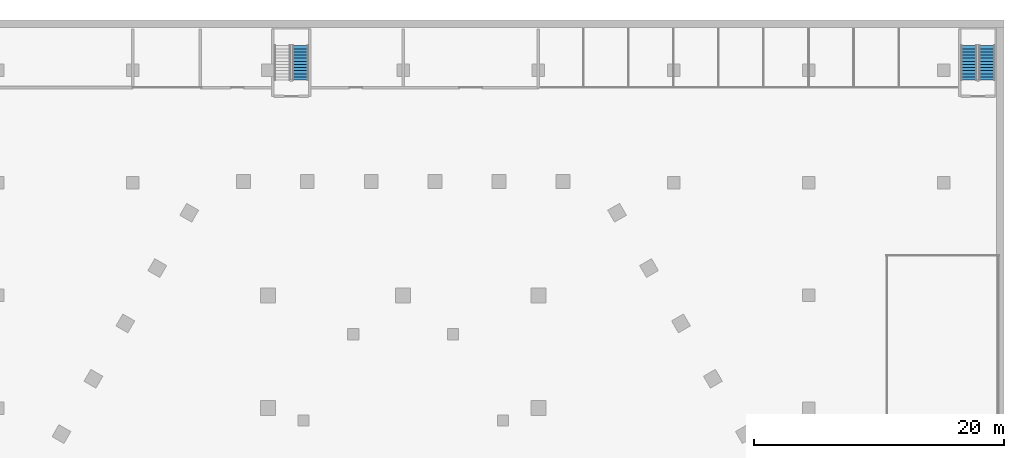
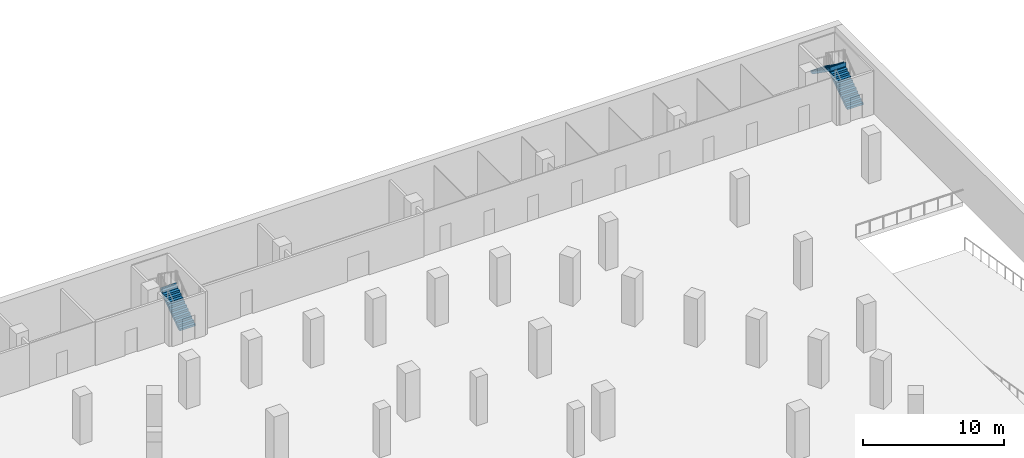
# One storey, part 14 of 20: 3 stair flights, 2 elements without a shape of their own.
"""IFC4 building model written with IfcOpenShell, lengths in metres."""

from ifc_helpers import new_model, si_unit, direction, frame, origin, place, context, subcontext, project, spatial, triangles, material, type_object, element, aggregate, save


model = new_model("IFC4")

# Units and contexts
model_context = context("Model", 3, precision=1e-05, world=origin(), true_north=direction((0.0, 1.0)))
body_context = subcontext(model_context, "Body", "Model", "MODEL_VIEW")
ifc_project = project(units=[si_unit("LENGTHUNIT", "METRE"), si_unit("AREAUNIT", "SQUARE_METRE"), si_unit("VOLUMEUNIT", "CUBIC_METRE"), si_unit("PLANEANGLEUNIT", "RADIAN"), si_unit("MASSUNIT", "GRAM", prefix="KILO")], contexts=[model_context])

# Site, building, storey
site_placement = place(None, origin())
site = spatial("IfcSite", under=ifc_project, at=site_placement, CompositionType="ELEMENT")
building_placement = place(site_placement, origin())
building = spatial("IfcBuilding", under=site, at=building_placement, Name="Beryl Residences", CompositionType="ELEMENT")
storey_placement = place(building_placement, frame((0.0, 0.0, -4.199951171875)))
storey = spatial("IfcBuildingStorey", under=building, at=storey_placement, Name="B1", CompositionType="ELEMENT", Elevation=-4.199951171875)

# Stair, stair flight
ifc_material_1 = material(Name="Concrete C40/50", Category="concrete")
stair_type = type_object("IfcStairType", Name="ST1 protected exit stair, half-turn, 1300 mm flights", PredefinedType="HALF_TURN_STAIR", material=ifc_material_1)
stair_1_placement = place(storey_placement, origin())
stair_1 = element("IfcStair", 1, at=stair_1_placement, inside=storey, type_object=stair_type, Name="B1 Basement exit stair 2", PredefinedType="HALF_TURN_STAIR")
ifc_material_2 = material(Name="Concrete C40/50", Category="concrete")
stair_flight_type = type_object("IfcStairFlightType", Name="SF1 stair flight 1300 mm", PredefinedType="STRAIGHT", material=ifc_material_2)
stair_flight_1_placement = place(storey_placement, frame((-8.199951171875, 35.199951171875, 0.0), z_axis=(0.0, 0.0, 1.0), x_axis=(0.0, 1.0, 0.0)))
stair_flight_1 = element("IfcStairFlight", 2, at=stair_flight_1_placement, type_object=stair_flight_type, Name="BS-2 flight 1", NumberOfRisers=12, NumberOfTreads=11, PredefinedType="STRAIGHT", RiserHeight=0.175, TreadLength=0.25, context=body_context, shape_type="Tessellation", body=[
    triangles([(0.0, -0.64990234375, 0.0), (0.0, -0.324951171875, 0.0), (0.0, 0.0, 0.0), (0.0, 0.324951171875, 0.0), (0.0, 0.64990234375, 0.0), (0.0, -0.64990234375, 0.175048828125), (0.0, -0.324951171875, 0.175048828125), (0.0, 0.0, 0.175048828125), (0.0, 0.324951171875, 0.175048828125), (0.0, 0.64990234375, 0.175048828125), (0.25, -0.64990234375, 0.175048828125), (0.25, -0.324951171875, 0.175048828125), (0.25, 0.0, 0.175048828125), (0.25, 0.324951171875, 0.175048828125), (0.25, 0.64990234375, 0.175048828125), (0.25, -0.64990234375, 0.35009765625), (0.25, -0.324951171875, 0.35009765625), (0.25, 0.0, 0.35009765625), (0.25, 0.324951171875, 0.35009765625), (0.25, 0.64990234375, 0.35009765625), (0.5, -0.64990234375, 0.35009765625), (0.5, -0.324951171875, 0.35009765625), (0.5, 0.0, 0.35009765625), (0.5, 0.324951171875, 0.35009765625), (0.5, 0.64990234375, 0.35009765625), (0.5, -0.64990234375, 0.52490234375), (0.5, -0.324951171875, 0.52490234375), (0.5, 0.0, 0.52490234375), (0.5, 0.324951171875, 0.52490234375), (0.5, 0.64990234375, 0.52490234375), (0.75, -0.64990234375, 0.52490234375), (0.75, -0.324951171875, 0.52490234375), (0.75, 0.0, 0.52490234375), (0.75, 0.324951171875, 0.52490234375), (0.75, 0.64990234375, 0.52490234375), (0.75, -0.64990234375, 0.699951171875), (0.75, -0.324951171875, 0.699951171875), (0.75, 0.0, 0.699951171875), (0.75, 0.324951171875, 0.699951171875), (0.75, 0.64990234375, 0.699951171875), (1.0, -0.64990234375, 0.699951171875), (1.0, -0.324951171875, 0.699951171875), (1.0, 0.0, 0.699951171875), (1.0, 0.324951171875, 0.699951171875), (1.0, 0.64990234375, 0.699951171875), (1.0, -0.64990234375, 0.875), (1.0, -0.324951171875, 0.875), (1.0, 0.0, 0.875), (1.0, 0.324951171875, 0.875), (1.0, 0.64990234375, 0.875), (1.25, -0.64990234375, 0.875), (1.25, -0.324951171875, 0.875), (1.25, 0.0, 0.875), (1.25, 0.324951171875, 0.875), (1.25, 0.64990234375, 0.875), (1.25, -0.64990234375, 1.050048828125), (1.25, -0.324951171875, 1.050048828125), (1.25, 0.0, 1.050048828125), (1.25, 0.324951171875, 1.050048828125), (1.25, 0.64990234375, 1.050048828125), (1.5, -0.64990234375, 1.050048828125), (1.5, -0.324951171875, 1.050048828125), (1.5, 0.0, 1.050048828125), (1.5, 0.324951171875, 1.050048828125), (1.5, 0.64990234375, 1.050048828125), (1.5, -0.64990234375, 1.22509765625), (1.5, -0.324951171875, 1.22509765625), (1.5, 0.0, 1.22509765625), (1.5, 0.324951171875, 1.22509765625), (1.5, 0.64990234375, 1.22509765625), (1.75, -0.64990234375, 1.22509765625), (1.75, -0.324951171875, 1.22509765625), (1.75, 0.0, 1.22509765625), (1.75, 0.324951171875, 1.22509765625), (1.75, 0.64990234375, 1.22509765625), (1.75, -0.64990234375, 1.39990234375), (1.75, -0.324951171875, 1.39990234375), (1.75, 0.0, 1.39990234375), (1.75, 0.324951171875, 1.39990234375), (1.75, 0.64990234375, 1.39990234375), (2.0, -0.64990234375, 1.39990234375), (2.0, -0.324951171875, 1.39990234375), (2.0, 0.0, 1.39990234375), (2.0, 0.324951171875, 1.39990234375), (2.0, 0.64990234375, 1.39990234375), (2.0, -0.64990234375, 1.574951171875), (2.0, -0.324951171875, 1.574951171875), (2.0, 0.0, 1.574951171875), (2.0, 0.324951171875, 1.574951171875), (2.0, 0.64990234375, 1.574951171875), (2.25, -0.64990234375, 1.574951171875), (2.25, -0.324951171875, 1.574951171875), (2.25, 0.0, 1.574951171875), (2.25, 0.324951171875, 1.574951171875), (2.25, 0.64990234375, 1.574951171875), (2.25, -0.64990234375, 1.75), (2.25, -0.324951171875, 1.75), (2.25, 0.0, 1.75), (2.25, 0.324951171875, 1.75), (2.25, 0.64990234375, 1.75), (2.5, -0.64990234375, 1.75), (2.5, -0.324951171875, 1.75), (2.5, 0.0, 1.75), (2.5, 0.324951171875, 1.75), (2.5, 0.64990234375, 1.75), (2.5, -0.64990234375, 1.925048828125), (2.5, -0.324951171875, 1.925048828125), (2.5, 0.0, 1.925048828125), (2.5, 0.324951171875, 1.925048828125), (2.5, 0.64990234375, 1.925048828125), (2.75, -0.64990234375, 1.925048828125), (2.75, -0.324951171875, 1.925048828125), (2.75, 0.0, 1.925048828125), (2.75, 0.324951171875, 1.925048828125), (2.75, 0.64990234375, 1.925048828125), (2.75, -0.64990234375, 2.10009765625), (2.75, -0.324951171875, 2.10009765625), (2.75, 0.0, 2.10009765625), (2.75, 0.324951171875, 2.10009765625), (2.75, 0.64990234375, 2.10009765625), (2.7509765625, -0.64990234375, 2.10009765625), (2.7509765625, -0.324951171875, 2.10009765625), (2.7509765625, 0.0, 2.10009765625), (2.7509765625, 0.324951171875, 2.10009765625), (2.7509765625, 0.64990234375, 2.10009765625), (2.7509765625, -0.64990234375, 1.741943359375), (2.7509765625, -0.324951171875, 1.741943359375), (2.7509765625, 0.0, 1.741943359375), (2.7509765625, 0.324951171875, 1.741943359375), (2.7509765625, 0.64990234375, 1.741943359375), (0.262451171875, -0.64990234375, 0.0), (0.262451171875, -0.324951171875, 0.0), (0.262451171875, 0.0, 0.0), (0.262451171875, 0.324951171875, 0.0), (0.262451171875, 0.64990234375, 0.0)], [[1, 6, 7], [1, 7, 2], [2, 7, 8], [2, 8, 3], [3, 8, 9], [3, 9, 4], [4, 9, 10], [4, 10, 5], [6, 11, 12], [6, 12, 7], [7, 12, 13], [7, 13, 8], [8, 13, 14], [8, 14, 9], [9, 14, 15], [9, 15, 10], [11, 16, 17], [11, 17, 12], [12, 17, 18], [12, 18, 13], [13, 18, 19], [13, 19, 14], [14, 19, 20], [14, 20, 15], [16, 21, 22], [16, 22, 17], [17, 22, 23], [17, 23, 18], [18, 23, 24], [18, 24, 19], [19, 24, 25], [19, 25, 20], [21, 26, 27], [21, 27, 22], [22, 27, 28], [22, 28, 23], [23, 28, 29], [23, 29, 24], [24, 29, 30], [24, 30, 25], [26, 31, 32], [26, 32, 27], [27, 32, 33], [27, 33, 28], [28, 33, 34], [28, 34, 29], [29, 34, 35], [29, 35, 30], [31, 36, 37], [31, 37, 32], [32, 37, 38], [32, 38, 33], [33, 38, 39], [33, 39, 34], [34, 39, 40], [34, 40, 35], [36, 41, 42], [36, 42, 37], [37, 42, 43], [37, 43, 38], [38, 43, 44], [38, 44, 39], [39, 44, 45], [39, 45, 40], [41, 46, 47], [41, 47, 42], [42, 47, 48], [42, 48, 43], [43, 48, 49], [43, 49, 44], [44, 49, 50], [44, 50, 45], [46, 51, 52], [46, 52, 47], [47, 52, 53], [47, 53, 48], [48, 53, 54], [48, 54, 49], [49, 54, 55], [49, 55, 50], [51, 56, 57], [51, 57, 52], [52, 57, 58], [52, 58, 53], [53, 58, 59], [53, 59, 54], [54, 59, 60], [54, 60, 55], [56, 61, 62], [56, 62, 57], [57, 62, 63], [57, 63, 58], [58, 63, 64], [58, 64, 59], [59, 64, 65], [59, 65, 60], [61, 66, 67], [61, 67, 62], [62, 67, 68], [62, 68, 63], [63, 68, 69], [63, 69, 64], [64, 69, 70], [64, 70, 65], [66, 71, 72], [66, 72, 67], [67, 72, 73], [67, 73, 68], [68, 73, 74], [68, 74, 69], [69, 74, 75], [69, 75, 70], [71, 76, 77], [71, 77, 72], [72, 77, 78], [72, 78, 73], [73, 78, 79], [73, 79, 74], [74, 79, 80], [74, 80, 75], [76, 81, 82], [76, 82, 77], [77, 82, 83], [77, 83, 78], [78, 83, 84], [78, 84, 79], [79, 84, 85], [79, 85, 80], [81, 86, 87], [81, 87, 82], [82, 87, 88], [82, 88, 83], [83, 88, 89], [83, 89, 84], [84, 89, 90], [84, 90, 85], [86, 91, 92], [86, 92, 87], [87, 92, 93], [87, 93, 88], [88, 93, 94], [88, 94, 89], [89, 94, 95], [89, 95, 90], [91, 96, 97], [91, 97, 92], [92, 97, 98], [92, 98, 93], [93, 98, 99], [93, 99, 94], [94, 99, 100], [94, 100, 95], [96, 101, 102], [96, 102, 97], [97, 102, 103], [97, 103, 98], [98, 103, 104], [98, 104, 99], [99, 104, 105], [99, 105, 100], [101, 106, 107], [101, 107, 102], [102, 107, 108], [102, 108, 103], [103, 108, 109], [103, 109, 104], [104, 109, 110], [104, 110, 105], [106, 111, 112], [106, 112, 107], [107, 112, 113], [107, 113, 108], [108, 113, 114], [108, 114, 109], [109, 114, 115], [109, 115, 110], [111, 116, 117], [111, 117, 112], [112, 117, 118], [112, 118, 113], [113, 118, 119], [113, 119, 114], [114, 119, 120], [114, 120, 115], [116, 121, 122], [116, 122, 117], [117, 122, 123], [117, 123, 118], [118, 123, 124], [118, 124, 119], [119, 124, 125], [119, 125, 120], [121, 126, 127], [121, 127, 122], [122, 127, 128], [122, 128, 123], [123, 128, 129], [123, 129, 124], [124, 129, 130], [124, 130, 125], [126, 131, 132], [126, 132, 127], [127, 132, 133], [127, 133, 128], [128, 133, 134], [128, 134, 129], [129, 134, 135], [129, 135, 130], [131, 1, 2], [131, 2, 132], [132, 2, 3], [132, 3, 133], [133, 3, 4], [133, 4, 134], [134, 4, 5], [134, 5, 135], [1, 131, 126], [5, 130, 135], [126, 121, 116], [130, 120, 125], [126, 116, 111], [130, 115, 120], [126, 111, 106], [130, 110, 115], [126, 106, 101], [130, 105, 110], [126, 101, 96], [130, 100, 105], [126, 96, 91], [130, 95, 100], [91, 86, 81], [95, 85, 90], [126, 91, 81], [130, 85, 95], [81, 76, 71], [85, 75, 80], [126, 81, 71], [130, 75, 85], [71, 66, 61], [75, 65, 70], [126, 71, 61], [130, 65, 75], [61, 56, 51], [65, 55, 60], [126, 61, 51], [130, 55, 65], [51, 46, 41], [55, 45, 50], [126, 51, 41], [130, 45, 55], [41, 36, 31], [45, 35, 40], [126, 41, 31], [130, 35, 45], [1, 126, 31], [5, 35, 130], [31, 26, 21], [35, 25, 30], [21, 16, 11], [25, 15, 20], [31, 21, 11], [35, 15, 25], [1, 31, 11], [5, 15, 35], [11, 6, 1], [15, 5, 10]], closed=True),
])
aggregate(stair_1, [stair_flight_1])

# Stair, stair flights
stair_2_placement = place(storey_placement, origin())
stair_2 = element("IfcStair", 3, at=stair_2_placement, inside=storey, type_object=stair_type, Name="B1 Basement exit stair 3", PredefinedType="HALF_TURN_STAIR")
stair_flight_2_placement = place(storey_placement, frame((46.64990234375, 35.199951171875, 0.0), z_axis=(0.0, 0.0, 1.0), x_axis=(0.0, 1.0, 0.0)))
stair_flight_2 = element("IfcStairFlight", 4, at=stair_flight_2_placement, type_object=stair_flight_type, Name="BS-3 flight 1", NumberOfRisers=12, NumberOfTreads=11, PredefinedType="STRAIGHT", RiserHeight=0.175, TreadLength=0.25, context=body_context, shape_type="Tessellation", body=[
    triangles([(0.0, -0.64990234375, 0.0), (0.0, -0.324951171875, 0.0), (0.0, 0.0, 0.0), (0.0, 0.324951171875, 0.0), (0.0, 0.64990234375, 0.0), (0.0, -0.64990234375, 0.175048828125), (0.0, -0.324951171875, 0.175048828125), (0.0, 0.0, 0.175048828125), (0.0, 0.324951171875, 0.175048828125), (0.0, 0.64990234375, 0.175048828125), (0.25, -0.64990234375, 0.175048828125), (0.25, -0.324951171875, 0.175048828125), (0.25, 0.0, 0.175048828125), (0.25, 0.324951171875, 0.175048828125), (0.25, 0.64990234375, 0.175048828125), (0.25, -0.64990234375, 0.35009765625), (0.25, -0.324951171875, 0.35009765625), (0.25, 0.0, 0.35009765625), (0.25, 0.324951171875, 0.35009765625), (0.25, 0.64990234375, 0.35009765625), (0.5, -0.64990234375, 0.35009765625), (0.5, -0.324951171875, 0.35009765625), (0.5, 0.0, 0.35009765625), (0.5, 0.324951171875, 0.35009765625), (0.5, 0.64990234375, 0.35009765625), (0.5, -0.64990234375, 0.52490234375), (0.5, -0.324951171875, 0.52490234375), (0.5, 0.0, 0.52490234375), (0.5, 0.324951171875, 0.52490234375), (0.5, 0.64990234375, 0.52490234375), (0.75, -0.64990234375, 0.52490234375), (0.75, -0.324951171875, 0.52490234375), (0.75, 0.0, 0.52490234375), (0.75, 0.324951171875, 0.52490234375), (0.75, 0.64990234375, 0.52490234375), (0.75, -0.64990234375, 0.699951171875), (0.75, -0.324951171875, 0.699951171875), (0.75, 0.0, 0.699951171875), (0.75, 0.324951171875, 0.699951171875), (0.75, 0.64990234375, 0.699951171875), (1.0, -0.64990234375, 0.699951171875), (1.0, -0.324951171875, 0.699951171875), (1.0, 0.0, 0.699951171875), (1.0, 0.324951171875, 0.699951171875), (1.0, 0.64990234375, 0.699951171875), (1.0, -0.64990234375, 0.875), (1.0, -0.324951171875, 0.875), (1.0, 0.0, 0.875), (1.0, 0.324951171875, 0.875), (1.0, 0.64990234375, 0.875), (1.25, -0.64990234375, 0.875), (1.25, -0.324951171875, 0.875), (1.25, 0.0, 0.875), (1.25, 0.324951171875, 0.875), (1.25, 0.64990234375, 0.875), (1.25, -0.64990234375, 1.050048828125), (1.25, -0.324951171875, 1.050048828125), (1.25, 0.0, 1.050048828125), (1.25, 0.324951171875, 1.050048828125), (1.25, 0.64990234375, 1.050048828125), (1.5, -0.64990234375, 1.050048828125), (1.5, -0.324951171875, 1.050048828125), (1.5, 0.0, 1.050048828125), (1.5, 0.324951171875, 1.050048828125), (1.5, 0.64990234375, 1.050048828125), (1.5, -0.64990234375, 1.22509765625), (1.5, -0.324951171875, 1.22509765625), (1.5, 0.0, 1.22509765625), (1.5, 0.324951171875, 1.22509765625), (1.5, 0.64990234375, 1.22509765625), (1.75, -0.64990234375, 1.22509765625), (1.75, -0.324951171875, 1.22509765625), (1.75, 0.0, 1.22509765625), (1.75, 0.324951171875, 1.22509765625), (1.75, 0.64990234375, 1.22509765625), (1.75, -0.64990234375, 1.39990234375), (1.75, -0.324951171875, 1.39990234375), (1.75, 0.0, 1.39990234375), (1.75, 0.324951171875, 1.39990234375), (1.75, 0.64990234375, 1.39990234375), (2.0, -0.64990234375, 1.39990234375), (2.0, -0.324951171875, 1.39990234375), (2.0, 0.0, 1.39990234375), (2.0, 0.324951171875, 1.39990234375), (2.0, 0.64990234375, 1.39990234375), (2.0, -0.64990234375, 1.574951171875), (2.0, -0.324951171875, 1.574951171875), (2.0, 0.0, 1.574951171875), (2.0, 0.324951171875, 1.574951171875), (2.0, 0.64990234375, 1.574951171875), (2.25, -0.64990234375, 1.574951171875), (2.25, -0.324951171875, 1.574951171875), (2.25, 0.0, 1.574951171875), (2.25, 0.324951171875, 1.574951171875), (2.25, 0.64990234375, 1.574951171875), (2.25, -0.64990234375, 1.75), (2.25, -0.324951171875, 1.75), (2.25, 0.0, 1.75), (2.25, 0.324951171875, 1.75), (2.25, 0.64990234375, 1.75), (2.5, -0.64990234375, 1.75), (2.5, -0.324951171875, 1.75), (2.5, 0.0, 1.75), (2.5, 0.324951171875, 1.75), (2.5, 0.64990234375, 1.75), (2.5, -0.64990234375, 1.925048828125), (2.5, -0.324951171875, 1.925048828125), (2.5, 0.0, 1.925048828125), (2.5, 0.324951171875, 1.925048828125), (2.5, 0.64990234375, 1.925048828125), (2.75, -0.64990234375, 1.925048828125), (2.75, -0.324951171875, 1.925048828125), (2.75, 0.0, 1.925048828125), (2.75, 0.324951171875, 1.925048828125), (2.75, 0.64990234375, 1.925048828125), (2.75, -0.64990234375, 2.10009765625), (2.75, -0.324951171875, 2.10009765625), (2.75, 0.0, 2.10009765625), (2.75, 0.324951171875, 2.10009765625), (2.75, 0.64990234375, 2.10009765625), (2.7509765625, -0.64990234375, 2.10009765625), (2.7509765625, -0.324951171875, 2.10009765625), (2.7509765625, 0.0, 2.10009765625), (2.7509765625, 0.324951171875, 2.10009765625), (2.7509765625, 0.64990234375, 2.10009765625), (2.7509765625, -0.64990234375, 1.741943359375), (2.7509765625, -0.324951171875, 1.741943359375), (2.7509765625, 0.0, 1.741943359375), (2.7509765625, 0.324951171875, 1.741943359375), (2.7509765625, 0.64990234375, 1.741943359375), (0.262451171875, -0.64990234375, 0.0), (0.262451171875, -0.324951171875, 0.0), (0.262451171875, 0.0, 0.0), (0.262451171875, 0.324951171875, 0.0), (0.262451171875, 0.64990234375, 0.0)], [[1, 6, 7], [1, 7, 2], [2, 7, 8], [2, 8, 3], [3, 8, 9], [3, 9, 4], [4, 9, 10], [4, 10, 5], [6, 11, 12], [6, 12, 7], [7, 12, 13], [7, 13, 8], [8, 13, 14], [8, 14, 9], [9, 14, 15], [9, 15, 10], [11, 16, 17], [11, 17, 12], [12, 17, 18], [12, 18, 13], [13, 18, 19], [13, 19, 14], [14, 19, 20], [14, 20, 15], [16, 21, 22], [16, 22, 17], [17, 22, 23], [17, 23, 18], [18, 23, 24], [18, 24, 19], [19, 24, 25], [19, 25, 20], [21, 26, 27], [21, 27, 22], [22, 27, 28], [22, 28, 23], [23, 28, 29], [23, 29, 24], [24, 29, 30], [24, 30, 25], [26, 31, 32], [26, 32, 27], [27, 32, 33], [27, 33, 28], [28, 33, 34], [28, 34, 29], [29, 34, 35], [29, 35, 30], [31, 36, 37], [31, 37, 32], [32, 37, 38], [32, 38, 33], [33, 38, 39], [33, 39, 34], [34, 39, 40], [34, 40, 35], [36, 41, 42], [36, 42, 37], [37, 42, 43], [37, 43, 38], [38, 43, 44], [38, 44, 39], [39, 44, 45], [39, 45, 40], [41, 46, 47], [41, 47, 42], [42, 47, 48], [42, 48, 43], [43, 48, 49], [43, 49, 44], [44, 49, 50], [44, 50, 45], [46, 51, 52], [46, 52, 47], [47, 52, 53], [47, 53, 48], [48, 53, 54], [48, 54, 49], [49, 54, 55], [49, 55, 50], [51, 56, 57], [51, 57, 52], [52, 57, 58], [52, 58, 53], [53, 58, 59], [53, 59, 54], [54, 59, 60], [54, 60, 55], [56, 61, 62], [56, 62, 57], [57, 62, 63], [57, 63, 58], [58, 63, 64], [58, 64, 59], [59, 64, 65], [59, 65, 60], [61, 66, 67], [61, 67, 62], [62, 67, 68], [62, 68, 63], [63, 68, 69], [63, 69, 64], [64, 69, 70], [64, 70, 65], [66, 71, 72], [66, 72, 67], [67, 72, 73], [67, 73, 68], [68, 73, 74], [68, 74, 69], [69, 74, 75], [69, 75, 70], [71, 76, 77], [71, 77, 72], [72, 77, 78], [72, 78, 73], [73, 78, 79], [73, 79, 74], [74, 79, 80], [74, 80, 75], [76, 81, 82], [76, 82, 77], [77, 82, 83], [77, 83, 78], [78, 83, 84], [78, 84, 79], [79, 84, 85], [79, 85, 80], [81, 86, 87], [81, 87, 82], [82, 87, 88], [82, 88, 83], [83, 88, 89], [83, 89, 84], [84, 89, 90], [84, 90, 85], [86, 91, 92], [86, 92, 87], [87, 92, 93], [87, 93, 88], [88, 93, 94], [88, 94, 89], [89, 94, 95], [89, 95, 90], [91, 96, 97], [91, 97, 92], [92, 97, 98], [92, 98, 93], [93, 98, 99], [93, 99, 94], [94, 99, 100], [94, 100, 95], [96, 101, 102], [96, 102, 97], [97, 102, 103], [97, 103, 98], [98, 103, 104], [98, 104, 99], [99, 104, 105], [99, 105, 100], [101, 106, 107], [101, 107, 102], [102, 107, 108], [102, 108, 103], [103, 108, 109], [103, 109, 104], [104, 109, 110], [104, 110, 105], [106, 111, 112], [106, 112, 107], [107, 112, 113], [107, 113, 108], [108, 113, 114], [108, 114, 109], [109, 114, 115], [109, 115, 110], [111, 116, 117], [111, 117, 112], [112, 117, 118], [112, 118, 113], [113, 118, 119], [113, 119, 114], [114, 119, 120], [114, 120, 115], [116, 121, 122], [116, 122, 117], [117, 122, 123], [117, 123, 118], [118, 123, 124], [118, 124, 119], [119, 124, 125], [119, 125, 120], [121, 126, 127], [121, 127, 122], [122, 127, 128], [122, 128, 123], [123, 128, 129], [123, 129, 124], [124, 129, 130], [124, 130, 125], [126, 131, 132], [126, 132, 127], [127, 132, 133], [127, 133, 128], [128, 133, 134], [128, 134, 129], [129, 134, 135], [129, 135, 130], [131, 1, 2], [131, 2, 132], [132, 2, 3], [132, 3, 133], [133, 3, 4], [133, 4, 134], [134, 4, 5], [134, 5, 135], [1, 131, 126], [5, 130, 135], [126, 121, 116], [130, 120, 125], [126, 116, 111], [130, 115, 120], [126, 111, 106], [130, 110, 115], [126, 106, 101], [130, 105, 110], [126, 101, 96], [130, 100, 105], [126, 96, 91], [130, 95, 100], [91, 86, 81], [95, 85, 90], [126, 91, 81], [130, 85, 95], [81, 76, 71], [85, 75, 80], [126, 81, 71], [130, 75, 85], [71, 66, 61], [75, 65, 70], [126, 71, 61], [130, 65, 75], [61, 56, 51], [65, 55, 60], [126, 61, 51], [130, 55, 65], [51, 46, 41], [55, 45, 50], [126, 51, 41], [130, 45, 55], [41, 36, 31], [45, 35, 40], [126, 41, 31], [130, 35, 45], [1, 126, 31], [5, 35, 130], [31, 26, 21], [35, 25, 30], [21, 16, 11], [25, 15, 20], [31, 21, 11], [35, 15, 25], [1, 31, 11], [5, 15, 35], [11, 6, 1], [15, 5, 10]], closed=True),
])
stair_flight_3_placement = place(storey_placement, frame((45.199951171875, 37.949951171875, 2.099853515625), z_axis=(0.0, 0.0, 1.0), x_axis=(0.0, -1.0, 0.0)))
stair_flight_3 = element("IfcStairFlight", 5, at=stair_flight_3_placement, type_object=stair_flight_type, Name="BS-3 flight 2", NumberOfRisers=12, NumberOfTreads=11, PredefinedType="STRAIGHT", RiserHeight=0.175, TreadLength=0.25, context=body_context, shape_type="Tessellation", body=[
    triangles([(0.0, -0.64990234375, 0.0), (0.0, -0.324951171875, 0.0), (0.0, 0.0, 0.0), (0.0, 0.324951171875, 0.0), (0.0, 0.64990234375, 0.0), (0.0, -0.64990234375, 0.175048828125), (0.0, -0.324951171875, 0.175048828125), (0.0, 0.0, 0.175048828125), (0.0, 0.324951171875, 0.175048828125), (0.0, 0.64990234375, 0.175048828125), (0.25, -0.64990234375, 0.175048828125), (0.25, -0.324951171875, 0.175048828125), (0.25, 0.0, 0.175048828125), (0.25, 0.324951171875, 0.175048828125), (0.25, 0.64990234375, 0.175048828125), (0.25, -0.64990234375, 0.35009765625), (0.25, -0.324951171875, 0.35009765625), (0.25, 0.0, 0.35009765625), (0.25, 0.324951171875, 0.35009765625), (0.25, 0.64990234375, 0.35009765625), (0.5, -0.64990234375, 0.35009765625), (0.5, -0.324951171875, 0.35009765625), (0.5, 0.0, 0.35009765625), (0.5, 0.324951171875, 0.35009765625), (0.5, 0.64990234375, 0.35009765625), (0.5, -0.64990234375, 0.52490234375), (0.5, -0.324951171875, 0.52490234375), (0.5, 0.0, 0.52490234375), (0.5, 0.324951171875, 0.52490234375), (0.5, 0.64990234375, 0.52490234375), (0.75, -0.64990234375, 0.52490234375), (0.75, -0.324951171875, 0.52490234375), (0.75, 0.0, 0.52490234375), (0.75, 0.324951171875, 0.52490234375), (0.75, 0.64990234375, 0.52490234375), (0.75, -0.64990234375, 0.699951171875), (0.75, -0.324951171875, 0.699951171875), (0.75, 0.0, 0.699951171875), (0.75, 0.324951171875, 0.699951171875), (0.75, 0.64990234375, 0.699951171875), (1.0, -0.64990234375, 0.699951171875), (1.0, -0.324951171875, 0.699951171875), (1.0, 0.0, 0.699951171875), (1.0, 0.324951171875, 0.699951171875), (1.0, 0.64990234375, 0.699951171875), (1.0, -0.64990234375, 0.875), (1.0, -0.324951171875, 0.875), (1.0, 0.0, 0.875), (1.0, 0.324951171875, 0.875), (1.0, 0.64990234375, 0.875), (1.25, -0.64990234375, 0.875), (1.25, -0.324951171875, 0.875), (1.25, 0.0, 0.875), (1.25, 0.324951171875, 0.875), (1.25, 0.64990234375, 0.875), (1.25, -0.64990234375, 1.050048828125), (1.25, -0.324951171875, 1.050048828125), (1.25, 0.0, 1.050048828125), (1.25, 0.324951171875, 1.050048828125), (1.25, 0.64990234375, 1.050048828125), (1.5, -0.64990234375, 1.050048828125), (1.5, -0.324951171875, 1.050048828125), (1.5, 0.0, 1.050048828125), (1.5, 0.324951171875, 1.050048828125), (1.5, 0.64990234375, 1.050048828125), (1.5, -0.64990234375, 1.22509765625), (1.5, -0.324951171875, 1.22509765625), (1.5, 0.0, 1.22509765625), (1.5, 0.324951171875, 1.22509765625), (1.5, 0.64990234375, 1.22509765625), (1.75, -0.64990234375, 1.22509765625), (1.75, -0.324951171875, 1.22509765625), (1.75, 0.0, 1.22509765625), (1.75, 0.324951171875, 1.22509765625), (1.75, 0.64990234375, 1.22509765625), (1.75, -0.64990234375, 1.39990234375), (1.75, -0.324951171875, 1.39990234375), (1.75, 0.0, 1.39990234375), (1.75, 0.324951171875, 1.39990234375), (1.75, 0.64990234375, 1.39990234375), (2.0, -0.64990234375, 1.39990234375), (2.0, -0.324951171875, 1.39990234375), (2.0, 0.0, 1.39990234375), (2.0, 0.324951171875, 1.39990234375), (2.0, 0.64990234375, 1.39990234375), (2.0, -0.64990234375, 1.574951171875), (2.0, -0.324951171875, 1.574951171875), (2.0, 0.0, 1.574951171875), (2.0, 0.324951171875, 1.574951171875), (2.0, 0.64990234375, 1.574951171875), (2.25, -0.64990234375, 1.574951171875), (2.25, -0.324951171875, 1.574951171875), (2.25, 0.0, 1.574951171875), (2.25, 0.324951171875, 1.574951171875), (2.25, 0.64990234375, 1.574951171875), (2.25, -0.64990234375, 1.75), (2.25, -0.324951171875, 1.75), (2.25, 0.0, 1.75), (2.25, 0.324951171875, 1.75), (2.25, 0.64990234375, 1.75), (2.5, -0.64990234375, 1.75), (2.5, -0.324951171875, 1.75), (2.5, 0.0, 1.75), (2.5, 0.324951171875, 1.75), (2.5, 0.64990234375, 1.75), (2.5, -0.64990234375, 1.925048828125), (2.5, -0.324951171875, 1.925048828125), (2.5, 0.0, 1.925048828125), (2.5, 0.324951171875, 1.925048828125), (2.5, 0.64990234375, 1.925048828125), (2.75, -0.64990234375, 1.925048828125), (2.75, -0.324951171875, 1.925048828125), (2.75, 0.0, 1.925048828125), (2.75, 0.324951171875, 1.925048828125), (2.75, 0.64990234375, 1.925048828125), (2.75, -0.64990234375, 2.10009765625), (2.75, -0.324951171875, 2.10009765625), (2.75, 0.0, 2.10009765625), (2.75, 0.324951171875, 2.10009765625), (2.75, 0.64990234375, 2.10009765625), (2.7509765625, -0.64990234375, 2.10009765625), (2.7509765625, -0.324951171875, 2.10009765625), (2.7509765625, 0.0, 2.10009765625), (2.7509765625, 0.324951171875, 2.10009765625), (2.7509765625, 0.64990234375, 2.10009765625), (2.7509765625, -0.64990234375, 1.741943359375), (2.7509765625, -0.324951171875, 1.741943359375), (2.7509765625, 0.0, 1.741943359375), (2.7509765625, 0.324951171875, 1.741943359375), (2.7509765625, 0.64990234375, 1.741943359375), (0.262451171875, -0.64990234375, 0.0), (0.262451171875, -0.324951171875, 0.0), (0.262451171875, 0.0, 0.0), (0.262451171875, 0.324951171875, 0.0), (0.262451171875, 0.64990234375, 0.0)], [[1, 6, 7], [1, 7, 2], [2, 7, 8], [2, 8, 3], [3, 8, 9], [3, 9, 4], [4, 9, 10], [4, 10, 5], [6, 11, 12], [6, 12, 7], [7, 12, 13], [7, 13, 8], [8, 13, 14], [8, 14, 9], [9, 14, 15], [9, 15, 10], [11, 16, 17], [11, 17, 12], [12, 17, 18], [12, 18, 13], [13, 18, 19], [13, 19, 14], [14, 19, 20], [14, 20, 15], [16, 21, 22], [16, 22, 17], [17, 22, 23], [17, 23, 18], [18, 23, 24], [18, 24, 19], [19, 24, 25], [19, 25, 20], [21, 26, 27], [21, 27, 22], [22, 27, 28], [22, 28, 23], [23, 28, 29], [23, 29, 24], [24, 29, 30], [24, 30, 25], [26, 31, 32], [26, 32, 27], [27, 32, 33], [27, 33, 28], [28, 33, 34], [28, 34, 29], [29, 34, 35], [29, 35, 30], [31, 36, 37], [31, 37, 32], [32, 37, 38], [32, 38, 33], [33, 38, 39], [33, 39, 34], [34, 39, 40], [34, 40, 35], [36, 41, 42], [36, 42, 37], [37, 42, 43], [37, 43, 38], [38, 43, 44], [38, 44, 39], [39, 44, 45], [39, 45, 40], [41, 46, 47], [41, 47, 42], [42, 47, 48], [42, 48, 43], [43, 48, 49], [43, 49, 44], [44, 49, 50], [44, 50, 45], [46, 51, 52], [46, 52, 47], [47, 52, 53], [47, 53, 48], [48, 53, 54], [48, 54, 49], [49, 54, 55], [49, 55, 50], [51, 56, 57], [51, 57, 52], [52, 57, 58], [52, 58, 53], [53, 58, 59], [53, 59, 54], [54, 59, 60], [54, 60, 55], [56, 61, 62], [56, 62, 57], [57, 62, 63], [57, 63, 58], [58, 63, 64], [58, 64, 59], [59, 64, 65], [59, 65, 60], [61, 66, 67], [61, 67, 62], [62, 67, 68], [62, 68, 63], [63, 68, 69], [63, 69, 64], [64, 69, 70], [64, 70, 65], [66, 71, 72], [66, 72, 67], [67, 72, 73], [67, 73, 68], [68, 73, 74], [68, 74, 69], [69, 74, 75], [69, 75, 70], [71, 76, 77], [71, 77, 72], [72, 77, 78], [72, 78, 73], [73, 78, 79], [73, 79, 74], [74, 79, 80], [74, 80, 75], [76, 81, 82], [76, 82, 77], [77, 82, 83], [77, 83, 78], [78, 83, 84], [78, 84, 79], [79, 84, 85], [79, 85, 80], [81, 86, 87], [81, 87, 82], [82, 87, 88], [82, 88, 83], [83, 88, 89], [83, 89, 84], [84, 89, 90], [84, 90, 85], [86, 91, 92], [86, 92, 87], [87, 92, 93], [87, 93, 88], [88, 93, 94], [88, 94, 89], [89, 94, 95], [89, 95, 90], [91, 96, 97], [91, 97, 92], [92, 97, 98], [92, 98, 93], [93, 98, 99], [93, 99, 94], [94, 99, 100], [94, 100, 95], [96, 101, 102], [96, 102, 97], [97, 102, 103], [97, 103, 98], [98, 103, 104], [98, 104, 99], [99, 104, 105], [99, 105, 100], [101, 106, 107], [101, 107, 102], [102, 107, 108], [102, 108, 103], [103, 108, 109], [103, 109, 104], [104, 109, 110], [104, 110, 105], [106, 111, 112], [106, 112, 107], [107, 112, 113], [107, 113, 108], [108, 113, 114], [108, 114, 109], [109, 114, 115], [109, 115, 110], [111, 116, 117], [111, 117, 112], [112, 117, 118], [112, 118, 113], [113, 118, 119], [113, 119, 114], [114, 119, 120], [114, 120, 115], [116, 121, 122], [116, 122, 117], [117, 122, 123], [117, 123, 118], [118, 123, 124], [118, 124, 119], [119, 124, 125], [119, 125, 120], [121, 126, 127], [121, 127, 122], [122, 127, 128], [122, 128, 123], [123, 128, 129], [123, 129, 124], [124, 129, 130], [124, 130, 125], [126, 131, 132], [126, 132, 127], [127, 132, 133], [127, 133, 128], [128, 133, 134], [128, 134, 129], [129, 134, 135], [129, 135, 130], [131, 1, 2], [131, 2, 132], [132, 2, 3], [132, 3, 133], [133, 3, 4], [133, 4, 134], [134, 4, 5], [134, 5, 135], [1, 131, 126], [5, 130, 135], [126, 121, 116], [130, 120, 125], [126, 116, 111], [130, 115, 120], [126, 111, 106], [130, 110, 115], [126, 106, 101], [130, 105, 110], [126, 101, 96], [130, 100, 105], [126, 96, 91], [130, 95, 100], [91, 86, 81], [95, 85, 90], [126, 91, 81], [130, 85, 95], [81, 76, 71], [85, 75, 80], [126, 81, 71], [130, 75, 85], [71, 66, 61], [75, 65, 70], [126, 71, 61], [130, 65, 75], [61, 56, 51], [65, 55, 60], [126, 61, 51], [130, 55, 65], [51, 46, 41], [55, 45, 50], [126, 51, 41], [130, 45, 55], [41, 36, 31], [45, 35, 40], [126, 41, 31], [130, 35, 45], [1, 126, 31], [5, 35, 130], [31, 26, 21], [35, 25, 30], [21, 16, 11], [25, 15, 20], [31, 21, 11], [35, 15, 25], [1, 31, 11], [5, 15, 35], [11, 6, 1], [15, 5, 10]], closed=True),
])
aggregate(stair_2, [stair_flight_2, stair_flight_3])

save(model, "model.ifc")
